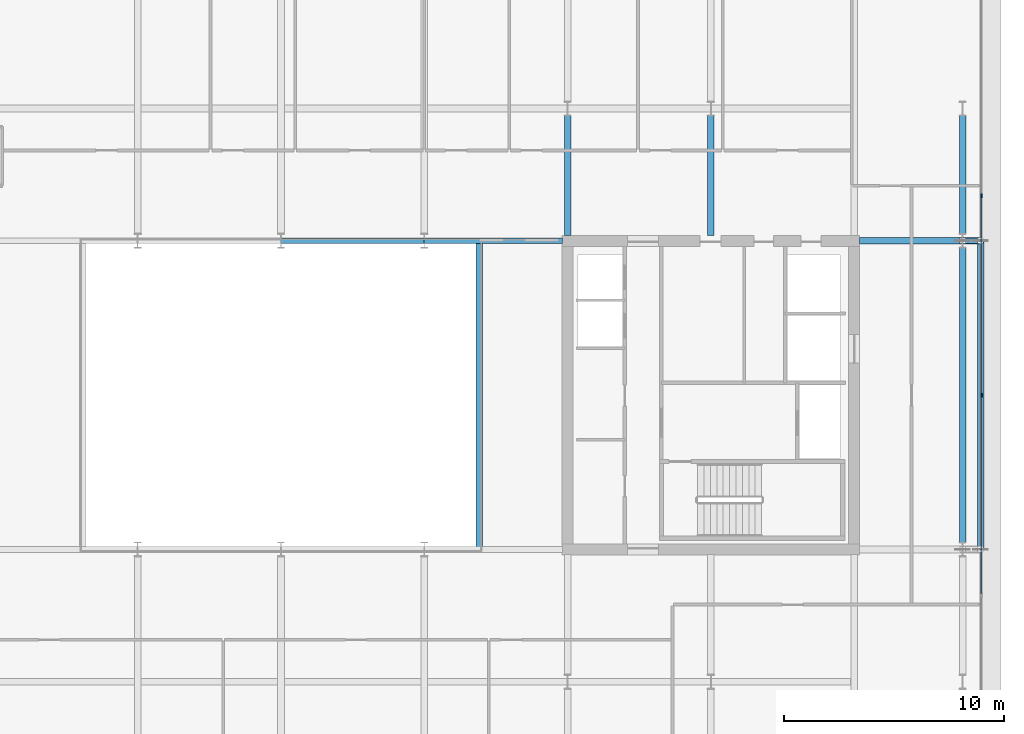
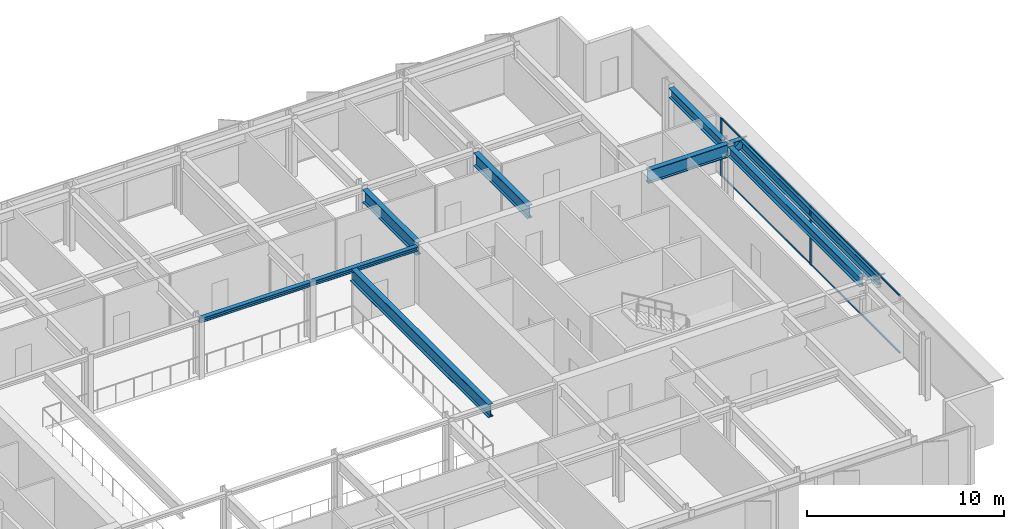
# One storey, part 7 of 19: 10 beams, 7 members, 1 element without a shape of its own.
"""IFC4 building model written with IfcOpenShell, lengths in metres."""

from ifc_helpers import new_model, si_unit, direction, frame, origin, origin_2d, place, context, subcontext, project, spatial, rectangle, hollow_rectangle, i_section, extrude, material, layer, layer_set, material_profile, profile_set, type_object, element, aggregate, save


model = new_model("IFC4")

# Units and contexts
model_context = context("Model", 3, precision=1e-05, world=origin(), true_north=direction((0.0, 1.0)))
body_context = subcontext(model_context, "Body", "Model", "MODEL_VIEW")
ifc_project = project(units=[si_unit("LENGTHUNIT", "METRE"), si_unit("AREAUNIT", "SQUARE_METRE"), si_unit("VOLUMEUNIT", "CUBIC_METRE"), si_unit("PLANEANGLEUNIT", "RADIAN"), si_unit("MASSUNIT", "GRAM", prefix="KILO")], contexts=[model_context])

# Site, building, storey
site_placement = place(None, origin())
site = spatial("IfcSite", under=ifc_project, at=site_placement, CompositionType="ELEMENT")
building_placement = place(site_placement, origin())
building = spatial("IfcBuilding", under=site, at=building_placement, Name="Putna Gate Headquarters", CompositionType="ELEMENT")
storey_placement = place(building_placement, frame((0.0, 0.0, 259.39990234375)))
storey = spatial("IfcBuildingStorey", under=building, at=storey_placement, Name="L65", CompositionType="ELEMENT", Elevation=259.39990234375)

# Beams
ifc_material_1 = material(Name="Steel S355J2", Category="steel")
ifc_material_profile_1 = material_profile(ifc_material_1, i_section(OverallWidth=0.260009765625, OverallDepth=0.260009765625, WebThickness=0.010009765625, FlangeThickness=0.017578125, at=origin_2d()), Name="Steel S355J2")
ifc_profile_set_1 = profile_set([ifc_material_profile_1], Name="Steel S355J2")
beam_type_1 = type_object("IfcBeamType", Name="BM-ATRIUM-HEB260", PredefinedType="BEAM", material=ifc_profile_set_1)
beam_1_placement = place(storey_placement, frame((39.006103515625, 33.0, 3.4580078125), z_axis=(1.0, 0.0, 0.0), x_axis=(0.0, 1.0, 0.0)))
element("IfcBeam", 1, at=beam_1_placement, inside=storey, type_object=beam_type_1, Name="L65 Atrium Edge Beam AN3", PredefinedType="BEAM", context=body_context, shape_type="SweptSolid", body=[
    extrude(i_section(OverallWidth=0.260009765625, OverallDepth=0.260009765625, WebThickness=0.010009765625, FlangeThickness=0.017578125, at=origin_2d()), origin(), (0.0, 0.0, 1.0), 6.48779296875),
])
beam_2_placement = place(storey_placement, frame((45.506103515625, 33.0, 3.4580078125), z_axis=(1.0, 0.0, 0.0), x_axis=(0.0, 1.0, 0.0)))
element("IfcBeam", 2, at=beam_2_placement, inside=storey, type_object=beam_type_1, Name="L65 Atrium Edge Beam AN4", PredefinedType="BEAM", context=body_context, shape_type="SweptSolid", body=[
    extrude(i_section(OverallWidth=0.260009765625, OverallDepth=0.260009765625, WebThickness=0.010009765625, FlangeThickness=0.017578125, at=origin_2d()), origin(), (0.0, 0.0, 1.0), 6.2587890625),
])
ifc_material_profile_2 = material_profile(ifc_material_1, i_section(OverallWidth=0.300048828125, OverallDepth=0.800048828125, WebThickness=0.017578125, FlangeThickness=0.032958984375, at=origin_2d()), Name="Steel S355J2")
ifc_profile_set_2 = profile_set([ifc_material_profile_2], Name="Steel S355J2")
beam_type_2 = type_object("IfcBeamType", Name="BM-GIRD-P-HEB800", PredefinedType="USERDEFINED", material=ifc_profile_set_2)
beam_3_placement = place(storey_placement, frame((65.235107421875, 33.0, 3.18798828125), z_axis=(1.0, 0.0, 0.0), x_axis=(0.0, 1.0, 0.0)))
element("IfcBeam", 3, at=beam_3_placement, inside=storey, type_object=beam_type_2, Name="L65 East Wing Girder Y33", ObjectType="GIRDER", PredefinedType="USERDEFINED", context=body_context, shape_type="SweptSolid", body=[
    extrude(i_section(OverallWidth=0.300048828125, OverallDepth=0.800048828125, WebThickness=0.017578125, FlangeThickness=0.032958984375, at=origin_2d()), origin(), (0.0, 0.0, 1.0), 4.678955078125),
])
for number, where, z_axis, x_axis, name in (
    (4, (52.0, 33.235107421875, 3.18798828125), (0.0, 1.0, 0.0), (-1.0, 0.0, 0.0), "L65 North Primary Girder X52-1"),
    (5, (58.5, 33.235107421875, 3.18798828125), (0.0, 1.0, 0.0), (-1.0, 0.0, 0.0), "L65 North Primary Girder X58-1"),
):
    element("IfcBeam", number, at=place(storey_placement, frame(where, z_axis=z_axis, x_axis=x_axis)), inside=storey, type_object=beam_type_2, Name=name, ObjectType="GIRDER", PredefinedType="USERDEFINED", context=body_context, shape_type="SweptSolid", body=[
        extrude(i_section(OverallWidth=0.300048828125, OverallDepth=0.800048828125, WebThickness=0.017578125, FlangeThickness=0.032958984375, at=origin_2d()), origin(), (0.0, 0.0, 1.0), 5.44287109375),
    ])
beam_4_placement = place(storey_placement, frame((48.0, 19.010009765625, 3.18798828125), z_axis=(0.0, 1.0, 0.0), x_axis=(-1.0, 0.0, 0.0)))
element("IfcBeam", 6, at=beam_4_placement, inside=storey, type_object=beam_type_2, Name="L65 Atrium Trim Girder AE", ObjectType="GIRDER", PredefinedType="USERDEFINED", context=body_context, shape_type="SweptSolid", body=[
    extrude(i_section(OverallWidth=0.300048828125, OverallDepth=0.800048828125, WebThickness=0.017578125, FlangeThickness=0.032958984375, at=origin_2d()), origin(), (0.0, 0.0, 1.0), 13.97998046875),
])
ifc_material_profile_3 = material_profile(ifc_material_1, i_section(OverallWidth=0.300048828125, OverallDepth=0.60009765625, WebThickness=0.015380859375, FlangeThickness=0.030029296875, at=origin_2d()), Name="Steel S355J2")
ifc_profile_set_3 = profile_set([ifc_material_profile_3], Name="Steel S355J2")
beam_type_3 = type_object("IfcBeamType", Name="BM-GIRD-SAIL-HEB600", PredefinedType="USERDEFINED", material=ifc_profile_set_3)
beam_5_placement = place(storey_placement, frame((69.926025390625, 33.0, 3.2880859375), z_axis=(1.0, 0.0, 0.0), x_axis=(0.0, 1.0, 0.0)))
element("IfcBeam", 7, at=beam_5_placement, inside=storey, type_object=beam_type_3, Name="L65 East Sail Outrigger Bracket Y33", ObjectType="GIRDER", PredefinedType="USERDEFINED", context=body_context, shape_type="SweptSolid", body=[
    extrude(i_section(OverallWidth=0.300048828125, OverallDepth=0.60009765625, WebThickness=0.015380859375, FlangeThickness=0.030029296875, at=origin_2d()), origin(), (0.0, 0.0, 1.0), 0.81298828125),
])
ifc_material_profile_4 = material_profile(ifc_material_1, i_section(OverallWidth=0.300048828125, OverallDepth=0.590087890625, WebThickness=0.012939453125, FlangeThickness=0.02490234375, at=origin_2d()), Name="Steel S355J2")
ifc_profile_set_4 = profile_set([ifc_material_profile_4], Name="Steel S355J2")
beam_type_4 = type_object("IfcBeamType", Name="BM-SPAN-Z4-HEA600", PredefinedType="SPANDREL", material=ifc_profile_set_4)
beam_6_placement = place(storey_placement, frame((69.919921875, 19.322021484375, 3.293212890625), z_axis=(0.0, 1.0, 0.0), x_axis=(-1.0, 0.0, 0.0)))
element("IfcBeam", 8, at=beam_6_placement, inside=storey, type_object=beam_type_4, Name="L65 E End Spandrel 2", PredefinedType="SPANDREL", context=body_context, shape_type="SweptSolid", body=[
    extrude(i_section(OverallWidth=0.300048828125, OverallDepth=0.590087890625, WebThickness=0.012939453125, FlangeThickness=0.02490234375, at=origin_2d()), origin(), (0.0, 0.0, 1.0), 13.35595703125),
])
beam_7_placement = place(storey_placement, frame((69.919921875, 33.322021484375, 3.293212890625), z_axis=(0.0, 1.0, 0.0), x_axis=(-1.0, 0.0, 0.0)))
element("IfcBeam", 9, at=beam_7_placement, inside=storey, type_object=beam_type_4, Name="L65 E End Spandrel 3", PredefinedType="SPANDREL", context=body_context, shape_type="SweptSolid", body=[
    extrude(i_section(OverallWidth=0.300048828125, OverallDepth=0.590087890625, WebThickness=0.012939453125, FlangeThickness=0.02490234375, at=origin_2d()), origin(), (0.0, 0.0, 1.0), 5.35595703125),
])
beam_8_placement = place(storey_placement, frame((70.739013671875, 19.02001953125, 3.293212890625), z_axis=(0.0, 1.0, 0.0), x_axis=(-1.0, 0.0, 0.0)))
element("IfcBeam", 10, at=beam_8_placement, inside=storey, type_object=beam_type_4, Name="L65 East Sail Edge Spandrel", PredefinedType="SPANDREL", context=body_context, shape_type="SweptSolid", body=[
    extrude(i_section(OverallWidth=0.300048828125, OverallDepth=0.590087890625, WebThickness=0.012939453125, FlangeThickness=0.02490234375, at=origin_2d()), origin(), (0.0, 0.0, 1.0), 13.9599609375),
])

# Member
ifc_material_2 = material(Name="Steel S460M", Category="steel")
ifc_material_profile_5 = material_profile(ifc_material_2, hollow_rectangle(XDim=0.25, YDim=0.39990234375, WallThickness=0.01611328125, at=origin_2d()), Name="Steel S460M")
ifc_profile_set_5 = profile_set([ifc_material_profile_5], Name="Steel S460M")
member_type_1 = type_object("IfcMemberType", Name="MEM-SAIL-BRACE-RHS400", PredefinedType="BRACE", material=ifc_profile_set_5)
member_1_placement = place(storey_placement, frame((69.930908203125, 33.0, 2.76220703125), z_axis=(0.796526130817, 0.0, 0.604604104291), x_axis=(0.0, 1.0, 0.0)))
element("IfcMember", 11, at=member_1_placement, inside=storey, type_object=member_type_1, Name="L65 East Sail Cantilever Raker Y33", PredefinedType="BRACE", context=body_context, shape_type="SweptSolid", body=[
    extrude(hollow_rectangle(XDim=0.25, YDim=0.39990234375, WallThickness=0.01611328125, at=origin_2d()), origin(), (0.0, 0.0, 1.0), 0.98193359375),
])

# Curtain wall, members
ifc_material_3 = material(Name="Anodised bronze aluminium curtain wall", Category="aluminium")
ifc_layer = layer(ifc_material_3, 0.179931640625)
ifc_layer_set = layer_set([ifc_layer], Name="Anodised bronze aluminium curtain wall")
curtain_wall_type = type_object("IfcCurtainWallType", Name="CW-SYS-Z5", PredefinedType="USERDEFINED", material=ifc_layer_set)
curtain_wall_placement = place(storey_placement, origin())
curtain_wall = element("IfcCurtainWall", 12, at=curtain_wall_placement, inside=storey, type_object=curtain_wall_type, Name="L65 East Curtain Wall", ObjectType="STICK CURTAIN WALL", PredefinedType="USERDEFINED")
ifc_material_4 = material(Name="Anodised bronze aluminium EN AW-6060", Category="aluminium")
ifc_material_profile_6 = material_profile(ifc_material_4, rectangle(XDim=0.070068359375, YDim=0.179931640625, at=origin_2d()), Name="Anodised bronze aluminium EN AW-6060")
ifc_profile_set_6 = profile_set([ifc_material_profile_6], Name="Anodised bronze aluminium EN AW-6060")
member_type_2 = type_object("IfcMemberType", Name="MULL-CWM-5", PredefinedType="MULLION", material=ifc_profile_set_6)
member_2_placement = place(storey_placement, frame((70.767822265625, 26.0, 0.0), z_axis=(0.0, 0.0, 1.0), x_axis=(-1.0, 0.0, 0.0)))
member_2 = element("IfcMember", 13, at=member_2_placement, type_object=member_type_2, Name="CWS-5 mullion 3", PredefinedType="MULLION", context=body_context, shape_type="SweptSolid", body=[
    extrude(rectangle(XDim=0.070068359375, YDim=0.179931640625, at=origin_2d()), origin(), (0.0, 0.0, 1.0), 3.588134765625),
])
member_3_placement = place(storey_placement, frame((70.767822265625, 35.050048828125, 0.0), z_axis=(0.0, 0.0, 1.0), x_axis=(-1.0, 0.0, 0.0)))
member_3 = element("IfcMember", 14, at=member_3_placement, type_object=member_type_2, Name="CWS-5 mullion 4", PredefinedType="MULLION", context=body_context, shape_type="SweptSolid", body=[
    extrude(rectangle(XDim=0.070068359375, YDim=0.179931640625, at=origin_2d()), origin(), (0.0, 0.0, 1.0), 3.588134765625),
])
ifc_material_profile_7 = material_profile(ifc_material_4, rectangle(XDim=0.06005859375, YDim=0.10009765625, at=origin_2d()), Name="Anodised bronze aluminium EN AW-6060")
ifc_profile_set_7 = profile_set([ifc_material_profile_7], Name="Anodised bronze aluminium EN AW-6060")
member_type_3 = type_object("IfcMemberType", Name="TRAN-CWT-5", PredefinedType="USERDEFINED", material=ifc_profile_set_7)
member_4_placement = place(storey_placement, frame((70.767822265625, 16.985107421875, 0.030029296875), z_axis=(0.0, 1.0, 0.0), x_axis=(-1.0, 0.0, 0.0)))
member_4 = element("IfcMember", 15, at=member_4_placement, type_object=member_type_3, Name="CWS-5 transom 2.1", ObjectType="TRANSOM", PredefinedType="USERDEFINED", context=body_context, shape_type="SweptSolid", body=[
    extrude(rectangle(XDim=0.06005859375, YDim=0.10009765625, at=origin_2d()), origin(), (0.0, 0.0, 1.0), 8.97998046875),
])
member_5_placement = place(storey_placement, frame((70.767822265625, 16.985107421875, 3.55810546875), z_axis=(0.0, 1.0, 0.0), x_axis=(-1.0, 0.0, 0.0)))
member_5 = element("IfcMember", 16, at=member_5_placement, type_object=member_type_3, Name="CWS-5 transom 2.2", ObjectType="TRANSOM", PredefinedType="USERDEFINED", context=body_context, shape_type="SweptSolid", body=[
    extrude(rectangle(XDim=0.06005859375, YDim=0.10009765625, at=origin_2d()), origin(), (0.0, 0.0, 1.0), 8.97998046875),
])
member_6_placement = place(storey_placement, frame((70.767822265625, 26.034912109375, 0.030029296875), z_axis=(0.0, 1.0, 0.0), x_axis=(-1.0, 0.0, 0.0)))
member_6 = element("IfcMember", 17, at=member_6_placement, type_object=member_type_3, Name="CWS-5 transom 3.1", ObjectType="TRANSOM", PredefinedType="USERDEFINED", context=body_context, shape_type="SweptSolid", body=[
    extrude(rectangle(XDim=0.06005859375, YDim=0.10009765625, at=origin_2d()), origin(), (0.0, 0.0, 1.0), 8.97998046875),
])
member_7_placement = place(storey_placement, frame((70.767822265625, 26.034912109375, 3.55810546875), z_axis=(0.0, 1.0, 0.0), x_axis=(-1.0, 0.0, 0.0)))
member_7 = element("IfcMember", 18, at=member_7_placement, type_object=member_type_3, Name="CWS-5 transom 3.2", ObjectType="TRANSOM", PredefinedType="USERDEFINED", context=body_context, shape_type="SweptSolid", body=[
    extrude(rectangle(XDim=0.06005859375, YDim=0.10009765625, at=origin_2d()), origin(), (0.0, 0.0, 1.0), 8.97998046875),
])
aggregate(curtain_wall, [member_2, member_3, member_4, member_5, member_6, member_7])

save(model, "model.ifc")
